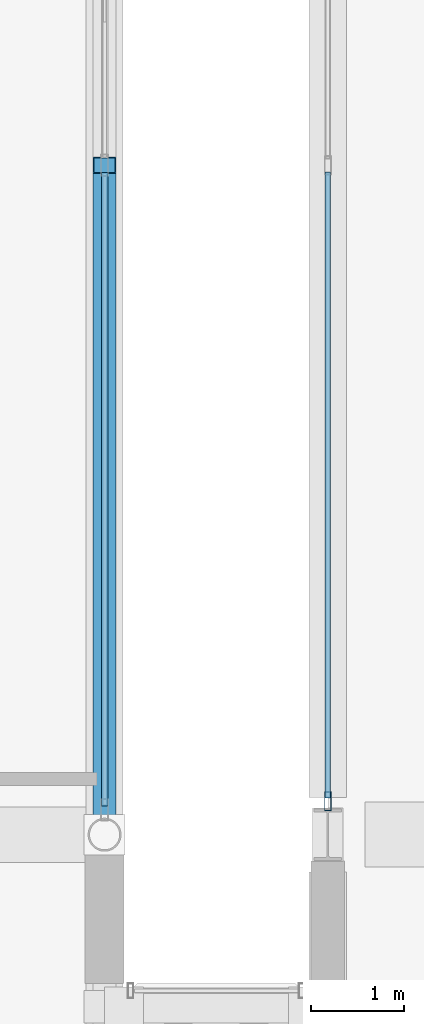
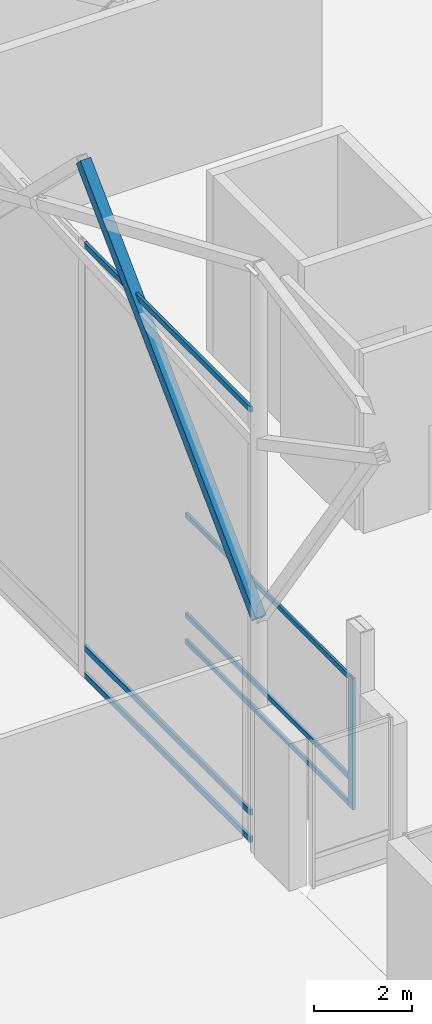
# One storey, part 76 of 220: 8 members, 2 elements without a shape of their own.
"""IFC4 building model written with IfcOpenShell, lengths in metres."""

from ifc_helpers import new_model, si_unit, direction, frame, origin, origin_2d, place, context, subcontext, project, spatial, hollow_rectangle, extrude, material, material_profile, profile_set, type_object, element, aggregate, save


model = new_model("IFC4")

# Units and contexts
model_context = context("Model", 3, precision=1e-05, world=origin(), true_north=direction((0.0, 1.0)))
body_context = subcontext(model_context, "Body", "Model", "MODEL_VIEW")
ifc_project = project(units=[si_unit("LENGTHUNIT", "METRE"), si_unit("AREAUNIT", "SQUARE_METRE"), si_unit("VOLUMEUNIT", "CUBIC_METRE"), si_unit("PLANEANGLEUNIT", "RADIAN"), si_unit("MASSUNIT", "GRAM", prefix="KILO")], contexts=[model_context])

# Site, building, storey
site_placement = place(None, origin())
site = spatial("IfcSite", under=ifc_project, at=site_placement, CompositionType="ELEMENT")
building_placement = place(site_placement, origin())
building = spatial("IfcBuilding", under=site, at=building_placement, Name="Cendralis Lancet Convention Centre", CompositionType="ELEMENT")
storey_placement = place(building_placement, frame((0.0, 0.0, 5.39990234375)))
storey = spatial("IfcBuildingStorey", under=building, at=storey_placement, Name="L01", CompositionType="ELEMENT", Elevation=5.39990234375)

# Curtain wall, members
ifc_material_1 = material(Name="Anodised bronze architectural aluminium", Category="aluminium")
curtain_wall_type_1 = type_object("IfcCurtainWallType", Name="ARC-CW-BL01", PredefinedType="USERDEFINED", material=ifc_material_1)
curtain_wall_1_placement = place(storey_placement, origin())
curtain_wall_1 = element("IfcCurtainWall", 1, at=curtain_wall_1_placement, inside=storey, type_object=curtain_wall_type_1, Name="L01 Curtain Wall CW-BL1 #150", ObjectType="CURTAIN WALL", PredefinedType="USERDEFINED")
ifc_material_profile_1 = material_profile(ifc_material_1, hollow_rectangle(XDim=0.070068359375, YDim=0.199951171875, WallThickness=0.0048828125, at=origin_2d()), Name="AL-MULL 70x200x5.0")
ifc_profile_set_1 = profile_set([ifc_material_profile_1], Name="Anodised bronze architectural aluminium")
member_type_1 = type_object("IfcMemberType", Name="ARC-CW-ML02", PredefinedType="MULLION", material=ifc_profile_set_1)
member_1_placement = place(storey_placement, frame((124.800048828125, 108.360107421875, 0.0), z_axis=(0.0, 0.0, 1.0), x_axis=(1.0, 0.0, 0.0)))
member_1 = element("IfcMember", 2, at=member_1_placement, type_object=member_type_1, Name="Mullion CW2-CW-BL1-L01-150-M0", PredefinedType="MULLION", context=body_context, shape_type="SweptSolid", body=[
    extrude(hollow_rectangle(XDim=0.070068359375, YDim=0.199951171875, WallThickness=0.0048828125, at=origin_2d()), origin(), (0.0, 0.0, 1.0), 3.28515625),
])
ifc_material_profile_2 = material_profile(ifc_material_1, hollow_rectangle(XDim=0.06005859375, YDim=0.1201171875, WallThickness=0.00390625, at=origin_2d()), Name="AL-TRAN 60x120x4.0")
ifc_profile_set_2 = profile_set([ifc_material_profile_2], Name="Anodised bronze architectural aluminium")
member_type_2 = type_object("IfcMemberType", Name="ARC-CW-TR01", PredefinedType="USERDEFINED", material=ifc_profile_set_2)
member_2_placement = place(storey_placement, frame((124.800048828125, 108.39501953125, 0.06005859375), z_axis=(0.0, 1.0, 0.0), x_axis=(-1.0, 0.0, 0.0)))
member_2 = element("IfcMember", 3, at=member_2_placement, type_object=member_type_2, Name="Transom CW2-CW-BL1-L01-150-T0BOT", ObjectType="TRANSOM", PredefinedType="USERDEFINED", context=body_context, shape_type="SweptSolid", body=[
    extrude(hollow_rectangle(XDim=0.06005859375, YDim=0.1201171875, WallThickness=0.00390625, at=origin_2d()), origin(), (0.0, 0.0, 1.0), 6.73486328125),
])
member_3_placement = place(storey_placement, frame((124.800048828125, 108.39501953125, 0.722900390625), z_axis=(0.0, 1.0, 0.0), x_axis=(-1.0, 0.0, 0.0)))
member_3 = element("IfcMember", 4, at=member_3_placement, type_object=member_type_2, Name="Transom CW2-CW-BL1-L01-150-T0MID", ObjectType="TRANSOM", PredefinedType="USERDEFINED", context=body_context, shape_type="SweptSolid", body=[
    extrude(hollow_rectangle(XDim=0.06005859375, YDim=0.1201171875, WallThickness=0.00390625, at=origin_2d()), origin(), (0.0, 0.0, 1.0), 6.73486328125),
])
member_4_placement = place(storey_placement, frame((124.800048828125, 108.39501953125, 3.22509765625), z_axis=(0.0, 1.0, 0.0), x_axis=(-1.0, 0.0, 0.0)))
member_4 = element("IfcMember", 5, at=member_4_placement, type_object=member_type_2, Name="Transom CW2-CW-BL1-L01-150-T0TOP", ObjectType="TRANSOM", PredefinedType="USERDEFINED", context=body_context, shape_type="SweptSolid", body=[
    extrude(hollow_rectangle(XDim=0.06005859375, YDim=0.1201171875, WallThickness=0.00390625, at=origin_2d()), origin(), (0.0, 0.0, 1.0), 6.73486328125),
])
aggregate(curtain_wall_1, [member_1, member_2, member_3, member_4])

curtain_wall_type_2 = type_object("IfcCurtainWallType", Name="ARC-CW-GB02", PredefinedType="USERDEFINED", material=ifc_material_1)
curtain_wall_2_placement = place(storey_placement, origin())
curtain_wall_2 = element("IfcCurtainWall", 6, at=curtain_wall_2_placement, inside=storey, type_object=curtain_wall_type_2, Name="L01 Curtain Wall CW-GB2 #108", ObjectType="CURTAIN WALL", PredefinedType="USERDEFINED")
ifc_material_profile_3 = material_profile(ifc_material_1, hollow_rectangle(XDim=0.070068359375, YDim=0.139892578125, WallThickness=0.00390625, at=origin_2d()), Name="AL-TRAN 70x140x4.0")
ifc_profile_set_3 = profile_set([ifc_material_profile_3], Name="Anodised bronze architectural aluminium")
member_type_3 = type_object("IfcMemberType", Name="ARC-CW-TR02", PredefinedType="USERDEFINED", material=ifc_profile_set_3)
member_5_placement = place(storey_placement, frame((122.39990234375, 115.1201171875, 0.070068359375), z_axis=(0.0, -1.0, 0.0), x_axis=(1.0, 0.0, 0.0)))
member_5 = element("IfcMember", 7, at=member_5_placement, type_object=member_type_3, Name="Transom CW2-CW-GB2-L01-108-T1BOT", ObjectType="TRANSOM", PredefinedType="USERDEFINED", context=body_context, shape_type="SweptSolid", body=[
    extrude(hollow_rectangle(XDim=0.070068359375, YDim=0.139892578125, WallThickness=0.00390625, at=origin_2d()), origin(), (0.0, 0.0, 1.0), 6.812255859375),
])
member_6_placement = place(storey_placement, frame((122.39990234375, 115.1201171875, 0.75), z_axis=(0.0, -1.0, 0.0), x_axis=(1.0, 0.0, 0.0)))
member_6 = element("IfcMember", 8, at=member_6_placement, type_object=member_type_3, Name="Transom CW2-CW-GB2-L01-108-T1MID", ObjectType="TRANSOM", PredefinedType="USERDEFINED", context=body_context, shape_type="SweptSolid", body=[
    extrude(hollow_rectangle(XDim=0.070068359375, YDim=0.139892578125, WallThickness=0.00390625, at=origin_2d()), origin(), (0.0, 0.0, 1.0), 6.812255859375),
])
member_7_placement = place(storey_placement, frame((122.39990234375, 115.1201171875, 10.8310546875), z_axis=(0.0, -1.0, 0.0), x_axis=(1.0, 0.0, 0.0)))
member_7 = element("IfcMember", 9, at=member_7_placement, type_object=member_type_3, Name="Transom CW2-CW-GB2-L01-108-T1TOP", ObjectType="TRANSOM", PredefinedType="USERDEFINED", context=body_context, shape_type="SweptSolid", body=[
    extrude(hollow_rectangle(XDim=0.070068359375, YDim=0.139892578125, WallThickness=0.00390625, at=origin_2d()), origin(), (0.0, 0.0, 1.0), 6.812255859375),
])
aggregate(curtain_wall_2, [member_5, member_6, member_7])

# Member
ifc_material_2 = material(Name="Steel S355", Category="steel")
ifc_material_profile_4 = material_profile(ifc_material_2, hollow_rectangle(XDim=0.25, YDim=0.25, WallThickness=0.012451171875, at=origin_2d()), Name="SHS 250x250x12.5")
ifc_profile_set_4 = profile_set([ifc_material_profile_4], Name="Steel S355")
member_type_4 = type_object("IfcMemberType", Name="STR-BR-GB01", PredefinedType="BRACE", material=ifc_profile_set_4)
member_8_placement = place(storey_placement, frame((122.39990234375, 108.0, 5.800048828125), z_axis=(0.0, 0.712944916229, 0.701220041373), x_axis=(-1.0, 0.0, 0.0)))
element("IfcMember", 10, at=member_8_placement, inside=storey, type_object=member_type_4, Name="Exhibition Gable Gothic Ogival Tracery Rib GBR1 #051", PredefinedType="BRACE", context=body_context, shape_type="SweptSolid", body=[
    extrude(hollow_rectangle(XDim=0.25, YDim=0.25, WallThickness=0.012451171875, at=origin_2d()), origin(), (0.0, 0.0, 1.0), 10.098876953125),
])

save(model, "model.ifc")
